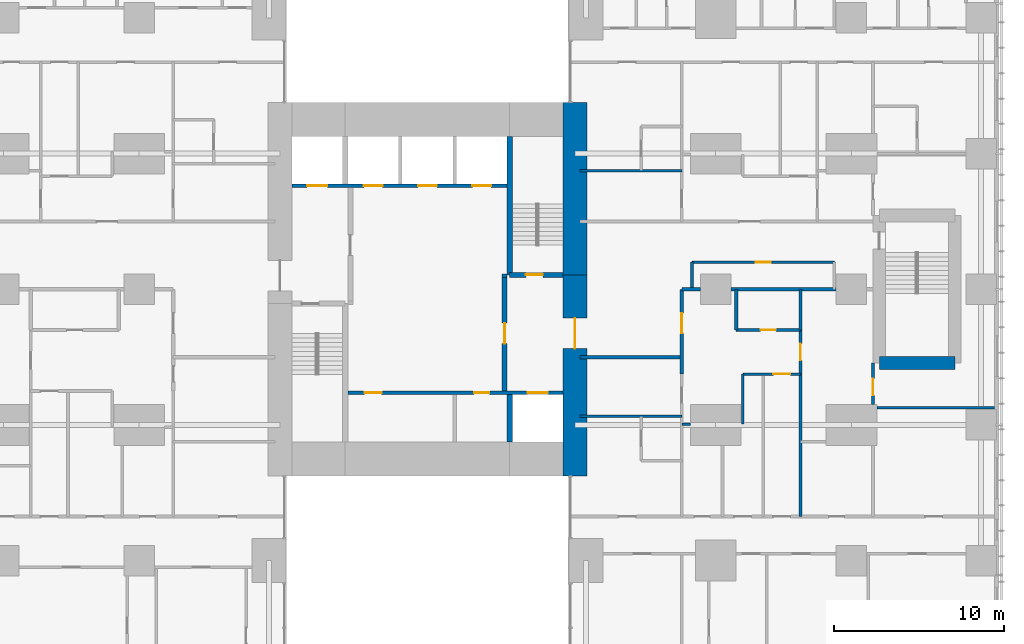
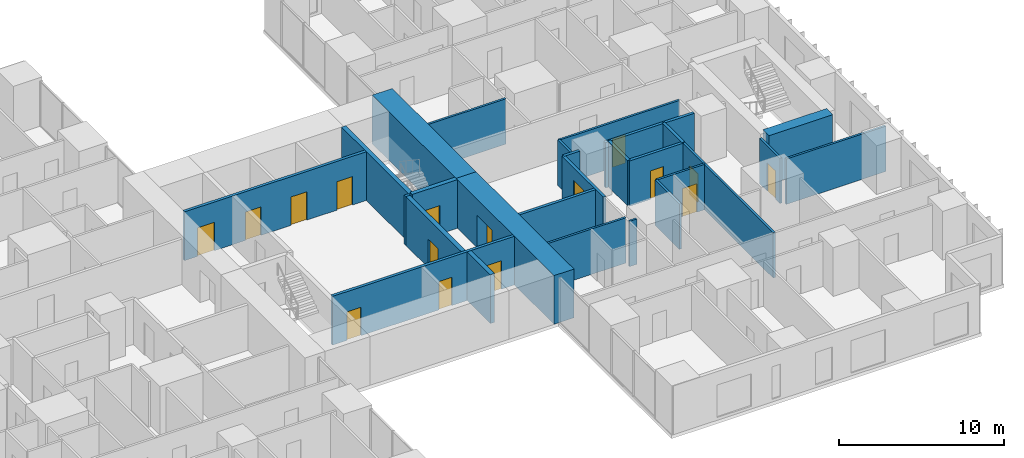
# One storey, part 15 of 20: 27 walls, 16 doors, 16 openings.
"""IFC4 building model written with IfcOpenShell, lengths in metres."""

from ifc_helpers import new_model, si_unit, direction, frame, frame_2d, origin, place, context, subcontext, project, spatial, rectangle, extrude, material, layer, layer_set, type_object, element, fill, save


model = new_model("IFC4")

# Units and contexts
model_context = context("Model", 3, precision=1e-05, world=origin(), true_north=direction((0.0, 1.0)))
body_context = subcontext(model_context, "Body", "Model", "MODEL_VIEW")
ifc_project = project(units=[si_unit("LENGTHUNIT", "METRE"), si_unit("AREAUNIT", "SQUARE_METRE"), si_unit("VOLUMEUNIT", "CUBIC_METRE"), si_unit("PLANEANGLEUNIT", "RADIAN"), si_unit("MASSUNIT", "GRAM", prefix="KILO")], contexts=[model_context])

# Site, building, storey
site_placement = place(None, origin())
site = spatial("IfcSite", under=ifc_project, at=site_placement, CompositionType="ELEMENT")
building_placement = place(site_placement, origin())
building = spatial("IfcBuilding", under=site, at=building_placement, Name="Cleftline Residences", CompositionType="ELEMENT")
storey_placement = place(building_placement, frame((0.0, 0.0, 196.60009765625)))
storey = spatial("IfcBuildingStorey", under=building, at=storey_placement, Name="L51", CompositionType="ELEMENT", Elevation=196.60009765625)

# Wall, opening, door
ifc_material_1 = material(Name="Concrete B70", Category="concrete")
ifc_layer_1 = layer(ifc_material_1, 1.39990234375)
ifc_layer_set_1 = layer_set([ifc_layer_1], Name="CORE WALL 1400")
wall_type_1 = type_object("IfcWallType", Name="CORE WALL 1400", PredefinedType="SHEAR", material=ifc_layer_set_1)
wall_1_placement = place(storey_placement, frame((41.699951171875, 13.0, 0.0), z_axis=(0.0, 0.0, 1.0), x_axis=(0.0, 1.0, 0.0)))
wall_1 = element("IfcWall", 1, at=wall_1_placement, inside=storey, type_object=wall_type_1, Name="Core wall E", PredefinedType="SHEAR", context=body_context, shape_type="SweptSolid", body=[
    extrude(rectangle(XDim=11.85009765625, YDim=1.39990234375, at=frame_2d((5.925048828125, 0.0))), origin(), (0.0, 0.0, 1.0), 3.599853515625),
])
opening_1_placement = place(wall_1_placement, frame((7.5, 0.0, 0.0)))
opening_1 = element("IfcOpeningElement", 2, at=opening_1_placement, cuts=wall_1, Name="Opening D7", PredefinedType="OPENING", context=body_context, shape_type="SweptSolid", body=[
    extrude(rectangle(XDim=1.800048828125, YDim=2.39990234375, at=frame_2d((0.89990234375, 1.199951171875))), frame((0.0, 0.7099609375, 0.0), z_axis=(0.0, -1.0, 0.0), x_axis=(1.0, 0.0, 0.0)), (0.0, 0.0, 1.0), 1.419921875),
])
ifc_material_2 = material(Name="Steel", Category="steel")
door_type_1 = type_object("IfcDoorType", Name="WING DOOR 1800X2400", OperationType="DOUBLE_DOOR_DOUBLE_SWING", PredefinedType="DOOR", material=ifc_material_2)
door_1_placement = place(opening_1_placement, origin())
door_1 = element("IfcDoor", 3, at=door_1_placement, inside=storey, type_object=door_type_1, Name="East wing door", OperationType="DOUBLE_DOOR_DOUBLE_SWING", OverallHeight=2.39990234375, OverallWidth=1.800048828125, PredefinedType="DOOR", context=body_context, shape_type="SweptSolid", body=[
    extrude(rectangle(XDim=1.800048828125, YDim=2.39990234375, at=frame_2d((0.89990234375, 1.199951171875))), frame((0.0, 0.02490234375, 0.0), z_axis=(0.0, -1.0, 0.0), x_axis=(1.0, 0.0, 0.0)), (0.0, 0.0, 1.0), 0.050048828125),
])
fill(opening_1, door_1)

# Walls
wall_2_placement = place(storey_placement, frame((41.699951171875, 24.85009765625, 0.0), z_axis=(0.0, 0.0, 1.0), x_axis=(0.0, 1.0, 0.0)))
element("IfcWall", 4, at=wall_2_placement, inside=storey, type_object=wall_type_1, Name="Core wall E1", PredefinedType="SHEAR", context=body_context, shape_type="SweptSolid", body=[
    extrude(rectangle(XDim=10.14990234375, YDim=1.39990234375, at=frame_2d((5.074951171875, 0.0))), origin(), (0.0, 0.0, 1.0), 3.599853515625),
])
ifc_material_3 = material(Name="Concrete B70", Category="concrete")
ifc_layer_2 = layer(ifc_material_3, 0.300048828125)
ifc_layer_set_2 = layer_set([ifc_layer_2], Name="CORE WALL 300")
wall_type_2 = type_object("IfcWallType", Name="CORE WALL 300", PredefinedType="SHEAR", material=ifc_layer_set_2)
wall_3_placement = place(storey_placement, frame((37.85009765625, 24.85009765625, 0.0), z_axis=(0.0, 0.0, 1.0), x_axis=(0.0, 1.0, 0.0)))
element("IfcWall", 5, at=wall_3_placement, inside=storey, type_object=wall_type_2, Name="Core wall SB-W", PredefinedType="SHEAR", context=body_context, shape_type="SweptSolid", body=[
    extrude(rectangle(XDim=8.14990234375, YDim=0.300048828125, at=frame_2d((4.074951171875, 0.0))), origin(), (0.0, 0.0, 1.0), 3.599853515625),
])

# Wall, opening, door
wall_4_placement = place(storey_placement, frame((37.85009765625, 24.85009765625, 0.0), z_axis=(0.0, 0.0, 1.0), x_axis=(1.0, 0.0, 0.0)))
wall_4 = element("IfcWall", 6, at=wall_4_placement, inside=storey, type_object=wall_type_2, Name="Core wall SB-S", PredefinedType="SHEAR", context=body_context, shape_type="SweptSolid", body=[
    extrude(rectangle(XDim=3.14990234375, YDim=0.300048828125, at=frame_2d((1.574951171875, 0.0))), origin(), (0.0, 0.0, 1.0), 3.599853515625),
])
opening_2_placement = place(wall_4_placement, frame((0.949951171875, 0.0, 0.0)))
opening_2 = element("IfcOpeningElement", 7, at=opening_2_placement, cuts=wall_4, Name="Opening D5", PredefinedType="OPENING", context=body_context, shape_type="SweptSolid", body=[
    extrude(rectangle(XDim=1.0, YDim=2.10009765625, at=frame_2d((0.5, 1.050048828125))), frame((0.0, 0.159912109375, 0.0), z_axis=(0.0, -1.0, 0.0), x_axis=(1.0, 0.0, 0.0)), (0.0, 0.0, 1.0), 0.320068359375),
])
ifc_material_4 = material(Name="Steel", Category="steel")
door_type_2 = type_object("IfcDoorType", Name="STAIR DOOR 1000X2100", OperationType="SINGLE_SWING_LEFT", PredefinedType="DOOR", material=ifc_material_4)
door_2_placement = place(opening_2_placement, origin())
door_2 = element("IfcDoor", 8, at=door_2_placement, inside=storey, type_object=door_type_2, Name="Stair B door", OperationType="SINGLE_SWING_RIGHT", OverallHeight=2.10009765625, OverallWidth=1.0, PredefinedType="DOOR", context=body_context, shape_type="SweptSolid", body=[
    extrude(rectangle(XDim=1.0, YDim=2.10009765625, at=frame_2d((0.5, 1.050048828125))), frame((0.0, 0.02490234375, 0.0), z_axis=(0.0, -1.0, 0.0), x_axis=(1.0, 0.0, 0.0)), (0.0, 0.0, 1.0), 0.050048828125),
])
fill(opening_2, door_2)

# Walls
wall_5_placement = place(storey_placement, frame((37.85009765625, 15.0, 0.0), z_axis=(0.0, 0.0, 1.0), x_axis=(0.0, 1.0, 0.0)))
element("IfcWall", 9, at=wall_5_placement, inside=storey, type_object=wall_type_2, Name="Lift shaft wall", PredefinedType="SHEAR", context=body_context, shape_type="SweptSolid", body=[
    extrude(rectangle(XDim=2.800048828125, YDim=0.300048828125, at=frame_2d((1.39990234375, 0.0))), origin(), (0.0, 0.0, 1.0), 3.599853515625),
])
ifc_material_5 = material(Name="Concrete blockwork, fire rated", Category="masonry")
ifc_layer_3 = layer(ifc_material_5, 0.199951171875)
ifc_layer_set_3 = layer_set([ifc_layer_3], Name="FIRE WALL 200")
wall_type_3 = type_object("IfcWallType", Name="FIRE WALL 200", PredefinedType="PARTITIONING", material=ifc_layer_set_3)
wall_6_placement = place(storey_placement, frame((42.0, 20.0, 0.0), z_axis=(0.0, 0.0, 1.0), x_axis=(1.0, 0.0, 0.0)))
element("IfcWall", 10, at=wall_6_placement, inside=storey, type_object=wall_type_3, Name="Fire separating wall", PredefinedType="PARTITIONING", context=body_context, shape_type="SweptSolid", body=[
    extrude(rectangle(XDim=6.0, YDim=0.199951171875, at=frame_2d((3.0, 0.0))), origin(), (0.0, 0.0, 1.0), 3.349853515625),
])

# Wall, opening, door
wall_7_placement = place(storey_placement, frame((51.199951171875, 21.60009765625, 0.0), z_axis=(0.0, 0.0, 1.0), x_axis=(1.0, 0.0, 0.0)))
wall_7 = element("IfcWall", 11, at=wall_7_placement, inside=storey, type_object=wall_type_3, Name="Fire separating wall", PredefinedType="PARTITIONING", context=body_context, shape_type="SweptSolid", body=[
    extrude(rectangle(XDim=3.800048828125, YDim=0.199951171875, at=frame_2d((1.89990234375, 0.0))), origin(), (0.0, 0.0, 1.0), 3.349853515625),
])
opening_3_placement = place(wall_7_placement, frame((1.449951171875, 0.0, 0.0)))
opening_3 = element("IfcOpeningElement", 12, at=opening_3_placement, cuts=wall_7, Name="Opening D1F30", PredefinedType="OPENING", context=body_context, shape_type="SweptSolid", body=[
    extrude(rectangle(XDim=0.89990234375, YDim=2.10009765625, at=frame_2d((0.449951171875, 1.050048828125))), frame((0.0, 0.10986328125, 0.0), z_axis=(0.0, -1.0, 0.0), x_axis=(1.0, 0.0, 0.0)), (0.0, 0.0, 1.0), 0.219970703125),
])
ifc_material_6 = material(Name="Timber veneer on solid core", Category="wood")
door_type_3 = type_object("IfcDoorType", Name="DOOR 900X2100 EI 30", OperationType="SINGLE_SWING_LEFT", PredefinedType="DOOR", material=ifc_material_6)
door_3_placement = place(opening_3_placement, origin())
door_3 = element("IfcDoor", 13, at=door_3_placement, inside=storey, type_object=door_type_3, Name="Door to cloakroom wc", OperationType="SINGLE_SWING_LEFT", OverallHeight=2.10009765625, OverallWidth=0.89990234375, PredefinedType="DOOR", context=body_context, shape_type="SweptSolid", body=[
    extrude(rectangle(XDim=0.89990234375, YDim=2.10009765625, at=frame_2d((0.449951171875, 1.050048828125))), frame((0.0, 0.02490234375, 0.0), z_axis=(0.0, -1.0, 0.0), x_axis=(1.0, 0.0, 0.0)), (0.0, 0.0, 1.0), 0.050048828125),
])
fill(opening_3, door_3)

# Walls
wall_8_placement = place(storey_placement, frame((48.0, 24.0, 0.0), z_axis=(0.0, 0.0, 1.0), x_axis=(1.0, 0.0, 0.0)))
element("IfcWall", 14, at=wall_8_placement, inside=storey, type_object=wall_type_3, Name="Fire separating wall", PredefinedType="PARTITIONING", context=body_context, shape_type="SweptSolid", body=[
    extrude(rectangle(XDim=1.10009765625, YDim=0.199951171875, at=frame_2d((0.550048828125, 0.0))), origin(), (0.0, 0.0, 1.0), 3.349853515625),
])
wall_9_placement = place(storey_placement, frame((50.89990234375, 24.0, 0.0), z_axis=(0.0, 0.0, 1.0), x_axis=(1.0, 0.0, 0.0)))
element("IfcWall", 15, at=wall_9_placement, inside=storey, type_object=wall_type_3, Name="Fire separating wall", PredefinedType="PARTITIONING", context=body_context, shape_type="SweptSolid", body=[
    extrude(rectangle(XDim=6.2001953125, YDim=0.199951171875, at=frame_2d((3.10009765625, 0.0))), origin(), (0.0, 0.0, 1.0), 3.349853515625),
])

# Wall, opening, door
wall_10_placement = place(storey_placement, frame((48.0, 19.0, 0.0), z_axis=(0.0, 0.0, 1.0), x_axis=(0.0, 1.0, 0.0)))
wall_10 = element("IfcWall", 16, at=wall_10_placement, inside=storey, type_object=wall_type_3, Name="Fire separating wall", PredefinedType="PARTITIONING", context=body_context, shape_type="SweptSolid", body=[
    extrude(rectangle(XDim=5.0, YDim=0.199951171875, at=frame_2d((2.5, 0.0))), origin(), (0.0, 0.0, 1.0), 3.349853515625),
])
opening_4_placement = place(wall_10_placement, frame((2.39990234375, 0.0, 0.0)))
opening_4 = element("IfcOpeningElement", 17, at=opening_4_placement, cuts=wall_10, Name="Opening D4", PredefinedType="OPENING", context=body_context, shape_type="SweptSolid", body=[
    extrude(rectangle(XDim=1.199951171875, YDim=2.39990234375, at=frame_2d((0.60009765625, 1.199951171875))), frame((0.0, 0.10986328125, 0.0), z_axis=(0.0, -1.0, 0.0), x_axis=(1.0, 0.0, 0.0)), (0.0, 0.0, 1.0), 0.219970703125),
])
ifc_material_7 = material(Name="Timber veneer on solid core", Category="wood")
door_type_4 = type_object("IfcDoorType", Name="APARTMENT ENTRANCE DOOR 1200X2400", OperationType="SINGLE_SWING_RIGHT", PredefinedType="DOOR", material=ifc_material_7)
door_4_placement = place(opening_4_placement, origin())
door_4 = element("IfcDoor", 18, at=door_4_placement, inside=storey, type_object=door_type_4, Name="Door to residence entrance foyer", OperationType="SINGLE_SWING_LEFT", OverallHeight=2.39990234375, OverallWidth=1.199951171875, PredefinedType="DOOR", context=body_context, shape_type="SweptSolid", body=[
    extrude(rectangle(XDim=1.199951171875, YDim=2.39990234375, at=frame_2d((0.60009765625, 1.199951171875))), frame((0.0, 0.02490234375, 0.0), z_axis=(0.0, -1.0, 0.0), x_axis=(1.0, 0.0, 0.0)), (0.0, 0.0, 1.0), 0.050048828125),
])
fill(opening_4, door_4)

# Walls
for number, where, z_axis, x_axis, name in (
    (19, (51.199951171875, 21.60009765625, 0.0), (0.0, 0.0, 1.0), (0.0, 1.0, 0.0), "Fire separating wall"),
    (20, (55.0, 21.60009765625, 0.0), (0.0, 0.0, 1.0), (0.0, 1.0, 0.0), "Fire separating wall"),
):
    element("IfcWall", number, at=place(storey_placement, frame(where, z_axis=z_axis, x_axis=x_axis)), inside=storey, type_object=wall_type_3, Name=name, PredefinedType="PARTITIONING", context=body_context, shape_type="SweptSolid", body=[
        extrude(rectangle(XDim=2.39990234375, YDim=0.199951171875, at=frame_2d((1.199951171875, 0.0))), origin(), (0.0, 0.0, 1.0), 3.349853515625),
    ])
wall_11_placement = place(storey_placement, frame((37.39990234375, 24.800048828125, 0.0), z_axis=(0.0, 0.0, 1.0), x_axis=(1.0, 0.0, 0.0)))
element("IfcWall", 21, at=wall_11_placement, inside=storey, type_object=wall_type_3, Name="Fire separating wall", PredefinedType="PARTITIONING", context=body_context, shape_type="SweptSolid", body=[
    extrude(rectangle(XDim=0.300048828125, YDim=0.199951171875, at=frame_2d((0.14990234375, 0.0))), origin(), (0.0, 0.0, 1.0), 3.599853515625),
])
ifc_material_8 = material(Name="Gypsum board on steel studs", Category="steel")
ifc_layer_4 = layer(ifc_material_8, 0.14990234375)
ifc_layer_set_4 = layer_set([ifc_layer_4], Name="PARTITION 150")
wall_type_4 = type_object("IfcWallType", Name="PARTITION 150", PredefinedType="PARTITIONING", material=ifc_layer_set_4)
wall_12_placement = place(storey_placement, frame((48.0, 16.050048828125, 0.0), z_axis=(0.0, 0.0, 1.0), x_axis=(1.0, 0.0, 0.0)))
element("IfcWall", 22, at=wall_12_placement, inside=storey, type_object=wall_type_4, Name="Partition", PredefinedType="PARTITIONING", context=body_context, shape_type="SweptSolid", body=[
    extrude(rectangle(XDim=0.5, YDim=0.14990234375, at=frame_2d((0.25, 0.0))), origin(), (0.0, 0.0, 1.0), 3.349853515625),
])
wall_13_placement = place(storey_placement, frame((42.0, 16.5, 0.0), z_axis=(0.0, 0.0, 1.0), x_axis=(1.0, 0.0, 0.0)))
element("IfcWall", 23, at=wall_13_placement, inside=storey, type_object=wall_type_4, Name="Partition", PredefinedType="PARTITIONING", context=body_context, shape_type="SweptSolid", body=[
    extrude(rectangle(XDim=6.0, YDim=0.14990234375, at=frame_2d((3.0, 0.0))), origin(), (0.0, 0.0, 1.0), 3.349853515625),
])
wall_14_placement = place(storey_placement, frame((59.5, 17.0, 0.0), z_axis=(0.0, 0.0, 1.0), x_axis=(1.0, 0.0, 0.0)))
element("IfcWall", 24, at=wall_14_placement, inside=storey, type_object=wall_type_4, Name="Partition", PredefinedType="PARTITIONING", context=body_context, shape_type="SweptSolid", body=[
    extrude(rectangle(XDim=6.949951171875, YDim=0.14990234375, at=frame_2d((3.47509765625, 0.0))), origin(), (0.0, 0.0, 1.0), 3.349853515625),
])

# Wall, opening, door
wall_15_placement = place(storey_placement, frame((51.60009765625, 19.0, 0.0), z_axis=(0.0, 0.0, 1.0), x_axis=(1.0, 0.0, 0.0)))
wall_15 = element("IfcWall", 25, at=wall_15_placement, inside=storey, type_object=wall_type_4, Name="Partition", PredefinedType="PARTITIONING", context=body_context, shape_type="SweptSolid", body=[
    extrude(rectangle(XDim=3.39990234375, YDim=0.14990234375, at=frame_2d((1.699951171875, 0.0))), origin(), (0.0, 0.0, 1.0), 3.349853515625),
])
opening_5_placement = place(wall_15_placement, frame((1.800048828125, 0.0, 0.0)))
opening_5 = element("IfcOpeningElement", 26, at=opening_5_placement, cuts=wall_15, Name="Opening D2", PredefinedType="OPENING", context=body_context, shape_type="SweptSolid", body=[
    extrude(rectangle(XDim=1.0, YDim=2.10009765625, at=frame_2d((0.5, 1.050048828125))), frame((0.0, 0.0849609375, 0.0), z_axis=(0.0, -1.0, 0.0), x_axis=(1.0, 0.0, 0.0)), (0.0, 0.0, 1.0), 0.169921875),
])
ifc_material_9 = material(Name="Timber veneer on solid core", Category="wood")
door_type_5 = type_object("IfcDoorType", Name="DOOR 1000X2100", OperationType="SINGLE_SWING_LEFT", PredefinedType="DOOR", material=ifc_material_9)
door_5_placement = place(opening_5_placement, origin())
door_5 = element("IfcDoor", 27, at=door_5_placement, inside=storey, type_object=door_type_5, Name="Door to residence passage", OperationType="SINGLE_SWING_LEFT", OverallHeight=2.10009765625, OverallWidth=1.0, PredefinedType="DOOR", context=body_context, shape_type="SweptSolid", body=[
    extrude(rectangle(XDim=1.0, YDim=2.10009765625, at=frame_2d((0.5, 1.050048828125))), frame((0.0, 0.02490234375, 0.0), z_axis=(0.0, -1.0, 0.0), x_axis=(1.0, 0.0, 0.0)), (0.0, 0.0, 1.0), 0.050048828125),
])
fill(opening_5, door_5)

wall_16_placement = place(storey_placement, frame((48.60009765625, 25.60009765625, 0.0), z_axis=(0.0, 0.0, 1.0), x_axis=(1.0, 0.0, 0.0)))
wall_16 = element("IfcWall", 28, at=wall_16_placement, inside=storey, type_object=wall_type_4, Name="Partition", PredefinedType="PARTITIONING", context=body_context, shape_type="SweptSolid", body=[
    extrude(rectangle(XDim=8.39990234375, YDim=0.14990234375, at=frame_2d((4.199951171875, 0.0))), origin(), (0.0, 0.0, 1.0), 3.349853515625),
])
opening_6_placement = place(wall_16_placement, frame((3.75, 0.0, 0.0)))
opening_6 = element("IfcOpeningElement", 29, at=opening_6_placement, cuts=wall_16, Name="Opening D1", PredefinedType="OPENING", context=body_context, shape_type="SweptSolid", body=[
    extrude(rectangle(XDim=0.89990234375, YDim=2.10009765625, at=frame_2d((0.449951171875, 1.050048828125))), frame((0.0, 0.0849609375, 0.0), z_axis=(0.0, -1.0, 0.0), x_axis=(1.0, 0.0, 0.0)), (0.0, 0.0, 1.0), 0.169921875),
])
ifc_material_10 = material(Name="Timber veneer on solid core", Category="wood")
door_type_6 = type_object("IfcDoorType", Name="DOOR 900X2100", OperationType="SINGLE_SWING_LEFT", PredefinedType="DOOR", material=ifc_material_10)
door_6_placement = place(opening_6_placement, origin())
door_6 = element("IfcDoor", 30, at=door_6_placement, inside=storey, type_object=door_type_6, Name="Door to residents' locker room", OperationType="SINGLE_SWING_LEFT", OverallHeight=2.10009765625, OverallWidth=0.89990234375, PredefinedType="DOOR", context=body_context, shape_type="SweptSolid", body=[
    extrude(rectangle(XDim=0.89990234375, YDim=2.10009765625, at=frame_2d((0.449951171875, 1.050048828125))), frame((0.0, 0.02490234375, 0.0), z_axis=(0.0, -1.0, 0.0), x_axis=(1.0, 0.0, 0.0)), (0.0, 0.0, 1.0), 0.050048828125),
])
fill(opening_6, door_6)

# Walls
wall_17_placement = place(storey_placement, frame((42.0, 31.0, 0.0), z_axis=(0.0, 0.0, 1.0), x_axis=(1.0, 0.0, 0.0)))
element("IfcWall", 31, at=wall_17_placement, inside=storey, type_object=wall_type_4, Name="Partition", PredefinedType="PARTITIONING", context=body_context, shape_type="SweptSolid", body=[
    extrude(rectangle(XDim=6.0, YDim=0.14990234375, at=frame_2d((3.0, 0.0))), origin(), (0.0, 0.0, 1.0), 3.349853515625),
])
wall_18_placement = place(storey_placement, frame((48.60009765625, 24.0, 0.0), z_axis=(0.0, 0.0, 1.0), x_axis=(0.0, 1.0, 0.0)))
element("IfcWall", 32, at=wall_18_placement, inside=storey, type_object=wall_type_4, Name="Partition", PredefinedType="PARTITIONING", context=body_context, shape_type="SweptSolid", body=[
    extrude(rectangle(XDim=1.60009765625, YDim=0.14990234375, at=frame_2d((0.800048828125, 0.0))), origin(), (0.0, 0.0, 1.0), 3.349853515625),
])
wall_19_placement = place(storey_placement, frame((51.60009765625, 16.050048828125, 0.0), z_axis=(0.0, 0.0, 1.0), x_axis=(0.0, 1.0, 0.0)))
element("IfcWall", 33, at=wall_19_placement, inside=storey, type_object=wall_type_4, Name="Partition", PredefinedType="PARTITIONING", context=body_context, shape_type="SweptSolid", body=[
    extrude(rectangle(XDim=2.949951171875, YDim=0.14990234375, at=frame_2d((1.47509765625, 0.0))), origin(), (0.0, 0.0, 1.0), 3.349853515625),
])

# Wall, opening, door
wall_20_placement = place(storey_placement, frame((55.0, 10.60009765625, 0.0), z_axis=(0.0, 0.0, 1.0), x_axis=(0.0, 1.0, 0.0)))
wall_20 = element("IfcWall", 34, at=wall_20_placement, inside=storey, type_object=wall_type_4, Name="Partition", PredefinedType="PARTITIONING", context=body_context, shape_type="SweptSolid", body=[
    extrude(rectangle(XDim=11.0, YDim=0.14990234375, at=frame_2d((5.5, 0.0))), origin(), (0.0, 0.0, 1.0), 3.349853515625),
])
opening_7_placement = place(wall_20_placement, frame((9.199951171875, 0.0, 0.0)))
opening_7 = element("IfcOpeningElement", 35, at=opening_7_placement, cuts=wall_20, Name="Opening D2F30", PredefinedType="OPENING", context=body_context, shape_type="SweptSolid", body=[
    extrude(rectangle(XDim=1.0, YDim=2.10009765625, at=frame_2d((0.5, 1.050048828125))), frame((0.0, 0.0849609375, 0.0), z_axis=(0.0, -1.0, 0.0), x_axis=(1.0, 0.0, 0.0)), (0.0, 0.0, 1.0), 0.169921875),
])
ifc_material_11 = material(Name="Timber veneer on solid core", Category="wood")
door_type_7 = type_object("IfcDoorType", Name="DOOR 1000X2100 EI 30", OperationType="SINGLE_SWING_LEFT", PredefinedType="DOOR", material=ifc_material_11)
door_7_placement = place(opening_7_placement, origin())
door_7 = element("IfcDoor", 36, at=door_7_placement, inside=storey, type_object=door_type_7, Name="Door to residence lobby", OperationType="SINGLE_SWING_LEFT", OverallHeight=2.10009765625, OverallWidth=1.0, PredefinedType="DOOR", context=body_context, shape_type="SweptSolid", body=[
    extrude(rectangle(XDim=1.0, YDim=2.10009765625, at=frame_2d((0.5, 1.050048828125))), frame((0.0, 0.02490234375, 0.0), z_axis=(0.0, -1.0, 0.0), x_axis=(1.0, 0.0, 0.0)), (0.0, 0.0, 1.0), 0.050048828125),
])
fill(opening_7, door_7)

wall_21_placement = place(storey_placement, frame((59.27490234375, 17.199951171875, 0.0), z_axis=(0.0, 0.0, 1.0), x_axis=(0.0, 1.0, 0.0)))
wall_21 = element("IfcWall", 37, at=wall_21_placement, inside=storey, type_object=wall_type_4, Name="Partition", PredefinedType="PARTITIONING", context=body_context, shape_type="SweptSolid", body=[
    extrude(rectangle(XDim=2.449951171875, YDim=0.14990234375, at=frame_2d((1.22509765625, 0.0))), origin(), (0.0, 0.0, 1.0), 3.349853515625),
])
opening_8_placement = place(wall_21_placement, frame((0.53759765625, 0.0, 0.0)))
opening_8 = element("IfcOpeningElement", 38, at=opening_8_placement, cuts=wall_21, Name="Opening D2", PredefinedType="OPENING", context=body_context, shape_type="SweptSolid", body=[
    extrude(rectangle(XDim=1.0, YDim=2.10009765625, at=frame_2d((0.5, 1.050048828125))), frame((0.0, 0.0849609375, 0.0), z_axis=(0.0, -1.0, 0.0), x_axis=(1.0, 0.0, 0.0)), (0.0, 0.0, 1.0), 0.169921875),
])
door_8_placement = place(opening_8_placement, origin())
door_8 = element("IfcDoor", 39, at=door_8_placement, inside=storey, type_object=door_type_5, Name="Door to altar room", OperationType="SINGLE_SWING_RIGHT", OverallHeight=2.10009765625, OverallWidth=1.0, PredefinedType="DOOR", context=body_context, shape_type="SweptSolid", body=[
    extrude(rectangle(XDim=1.0, YDim=2.10009765625, at=frame_2d((0.5, 1.050048828125))), frame((0.0, 0.02490234375, 0.0), z_axis=(0.0, -1.0, 0.0), x_axis=(1.0, 0.0, 0.0)), (0.0, 0.0, 1.0), 0.050048828125),
])
fill(opening_8, door_8)

# Wall, openings, doors
ifc_material_12 = material(Name="Concrete blockwork, fire rated", Category="masonry")
ifc_layer_5 = layer(ifc_material_12, 0.199951171875)
ifc_layer_set_5 = layer_set([ifc_layer_5], Name="SHAFT WALL 200")
wall_type_5 = type_object("IfcWallType", Name="SHAFT WALL 200", PredefinedType="PARTITIONING", material=ifc_layer_set_5)
wall_22_placement = place(storey_placement, frame((28.300048828125, 17.89990234375, 0.0), z_axis=(0.0, 0.0, 1.0), x_axis=(1.0, 0.0, 0.0)))
wall_22 = element("IfcWall", 40, at=wall_22_placement, inside=storey, type_object=wall_type_5, Name="Core room wall", PredefinedType="PARTITIONING", context=body_context, shape_type="SweptSolid", body=[
    extrude(rectangle(XDim=12.699951171875, YDim=0.199951171875, at=frame_2d((6.35009765625, 0.0))), origin(), (0.0, 0.0, 1.0), 3.599853515625),
])
opening_9_placement = place(wall_22_placement, frame((1.0, 0.0, 0.0)))
opening_9 = element("IfcOpeningElement", 41, at=opening_9_placement, cuts=wall_22, Name="Opening D2F60", PredefinedType="OPENING", context=body_context, shape_type="SweptSolid", body=[
    extrude(rectangle(XDim=1.0, YDim=2.10009765625, at=frame_2d((0.5, 1.050048828125))), frame((0.0, 0.10986328125, 0.0), z_axis=(0.0, -1.0, 0.0), x_axis=(1.0, 0.0, 0.0)), (0.0, 0.0, 1.0), 0.219970703125),
])
opening_10_placement = place(wall_22_placement, frame((7.449951171875, 0.0, 0.0)))
opening_10 = element("IfcOpeningElement", 42, at=opening_10_placement, cuts=wall_22, Name="Opening D1F30", PredefinedType="OPENING", context=body_context, shape_type="SweptSolid", body=[
    extrude(rectangle(XDim=0.89990234375, YDim=2.10009765625, at=frame_2d((0.449951171875, 1.050048828125))), frame((0.0, 0.10986328125, 0.0), z_axis=(0.0, -1.0, 0.0), x_axis=(1.0, 0.0, 0.0)), (0.0, 0.0, 1.0), 0.219970703125),
])
opening_11_placement = place(wall_22_placement, frame((10.60009765625, 0.0, 0.0)))
opening_11 = element("IfcOpeningElement", 43, at=opening_11_placement, cuts=wall_22, Name="Opening LD2", PredefinedType="OPENING", context=body_context, shape_type="SweptSolid", body=[
    extrude(rectangle(XDim=1.199951171875, YDim=2.10009765625, at=frame_2d((0.60009765625, 1.050048828125))), frame((0.0, 0.10986328125, 0.0), z_axis=(0.0, -1.0, 0.0), x_axis=(1.0, 0.0, 0.0)), (0.0, 0.0, 1.0), 0.219970703125),
])
ifc_material_13 = material(Name="Timber veneer on solid core", Category="wood")
door_type_8 = type_object("IfcDoorType", Name="DOOR 1000X2100 EI 60", OperationType="SINGLE_SWING_LEFT", PredefinedType="DOOR", material=ifc_material_13)
door_9_placement = place(opening_9_placement, origin())
door_9 = element("IfcDoor", 44, at=door_9_placement, inside=storey, type_object=door_type_8, Name="Door to electrical room", OperationType="SINGLE_SWING_RIGHT", OverallHeight=2.10009765625, OverallWidth=1.0, PredefinedType="DOOR", context=body_context, shape_type="SweptSolid", body=[
    extrude(rectangle(XDim=1.0, YDim=2.10009765625, at=frame_2d((0.5, 1.050048828125))), frame((0.0, 0.02490234375, 0.0), z_axis=(0.0, -1.0, 0.0), x_axis=(1.0, 0.0, 0.0)), (0.0, 0.0, 1.0), 0.050048828125),
])
fill(opening_9, door_9)
door_10_placement = place(opening_10_placement, origin())
door_10 = element("IfcDoor", 45, at=door_10_placement, inside=storey, type_object=door_type_3, Name="Door to maintenance store", OperationType="SINGLE_SWING_LEFT", OverallHeight=2.10009765625, OverallWidth=0.89990234375, PredefinedType="DOOR", context=body_context, shape_type="SweptSolid", body=[
    extrude(rectangle(XDim=0.89990234375, YDim=2.10009765625, at=frame_2d((0.449951171875, 1.050048828125))), frame((0.0, 0.02490234375, 0.0), z_axis=(0.0, -1.0, 0.0), x_axis=(1.0, 0.0, 0.0)), (0.0, 0.0, 1.0), 0.050048828125),
])
fill(opening_10, door_10)
ifc_material_14 = material(Name="Steel", Category="steel")
door_type_9 = type_object("IfcDoorType", Name="FIREFIGHTING LIFT LANDING DOOR 1200X2100", OperationType="SLIDING_TO_LEFT", PredefinedType="DOOR", material=ifc_material_14)
door_11_placement = place(opening_11_placement, origin())
door_11 = element("IfcDoor", 46, at=door_11_placement, inside=storey, type_object=door_type_9, Name="Lift FL2 landing door", OperationType="SLIDING_TO_LEFT", OverallHeight=2.10009765625, OverallWidth=1.199951171875, PredefinedType="DOOR", context=body_context, shape_type="SweptSolid", body=[
    extrude(rectangle(XDim=1.199951171875, YDim=2.10009765625, at=frame_2d((0.60009765625, 1.050048828125))), frame((0.0, 0.02490234375, 0.0), z_axis=(0.0, -1.0, 0.0), x_axis=(1.0, 0.0, 0.0)), (0.0, 0.0, 1.0), 0.050048828125),
])
fill(opening_11, door_11)

wall_23_placement = place(storey_placement, frame((25.0, 30.10009765625, 0.0), z_axis=(0.0, 0.0, 1.0), x_axis=(1.0, 0.0, 0.0)))
wall_23 = element("IfcWall", 47, at=wall_23_placement, inside=storey, type_object=wall_type_5, Name="Lift shaft wall", PredefinedType="PARTITIONING", context=body_context, shape_type="SweptSolid", body=[
    extrude(rectangle(XDim=12.699951171875, YDim=0.199951171875, at=frame_2d((6.35009765625, 0.0))), origin(), (0.0, 0.0, 1.0), 3.599853515625),
])
opening_12_placement = place(wall_23_placement, frame((4.25, 0.0, 0.0)))
opening_12 = element("IfcOpeningElement", 48, at=opening_12_placement, cuts=wall_23, Name="Opening LD1", PredefinedType="OPENING", context=body_context, shape_type="SweptSolid", body=[
    extrude(rectangle(XDim=1.10009765625, YDim=2.10009765625, at=frame_2d((0.550048828125, 1.050048828125))), frame((0.0, 0.10986328125, 0.0), z_axis=(0.0, -1.0, 0.0), x_axis=(1.0, 0.0, 0.0)), (0.0, 0.0, 1.0), 0.219970703125),
])
opening_13_placement = place(wall_23_placement, frame((7.449951171875, 0.0, 0.0)))
opening_13 = element("IfcOpeningElement", 49, at=opening_13_placement, cuts=wall_23, Name="Opening LD1", PredefinedType="OPENING", context=body_context, shape_type="SweptSolid", body=[
    extrude(rectangle(XDim=1.10009765625, YDim=2.10009765625, at=frame_2d((0.550048828125, 1.050048828125))), frame((0.0, 0.10986328125, 0.0), z_axis=(0.0, -1.0, 0.0), x_axis=(1.0, 0.0, 0.0)), (0.0, 0.0, 1.0), 0.219970703125),
])
opening_14_placement = place(wall_23_placement, frame((10.64990234375, 0.0, 0.0)))
opening_14 = element("IfcOpeningElement", 50, at=opening_14_placement, cuts=wall_23, Name="Opening LD1", PredefinedType="OPENING", context=body_context, shape_type="SweptSolid", body=[
    extrude(rectangle(XDim=1.10009765625, YDim=2.10009765625, at=frame_2d((0.550048828125, 1.050048828125))), frame((0.0, 0.10986328125, 0.0), z_axis=(0.0, -1.0, 0.0), x_axis=(1.0, 0.0, 0.0)), (0.0, 0.0, 1.0), 0.219970703125),
])
opening_15_placement = place(wall_23_placement, frame((0.89990234375, 0.0, 0.0)))
opening_15 = element("IfcOpeningElement", 51, at=opening_15_placement, cuts=wall_23, Name="Opening LD2", PredefinedType="OPENING", context=body_context, shape_type="SweptSolid", body=[
    extrude(rectangle(XDim=1.199951171875, YDim=2.10009765625, at=frame_2d((0.60009765625, 1.050048828125))), frame((0.0, 0.10986328125, 0.0), z_axis=(0.0, -1.0, 0.0), x_axis=(1.0, 0.0, 0.0)), (0.0, 0.0, 1.0), 0.219970703125),
])
door_12_placement = place(opening_15_placement, origin())
door_12 = element("IfcDoor", 52, at=door_12_placement, inside=storey, type_object=door_type_9, Name="Lift FL1 landing door", OperationType="SLIDING_TO_LEFT", OverallHeight=2.10009765625, OverallWidth=1.199951171875, PredefinedType="DOOR", context=body_context, shape_type="SweptSolid", body=[
    extrude(rectangle(XDim=1.199951171875, YDim=2.10009765625, at=frame_2d((0.60009765625, 1.050048828125))), frame((0.0, 0.02490234375, 0.0), z_axis=(0.0, -1.0, 0.0), x_axis=(1.0, 0.0, 0.0)), (0.0, 0.0, 1.0), 0.050048828125),
])
fill(opening_15, door_12)
ifc_material_15 = material(Name="Steel", Category="steel")
door_type_10 = type_object("IfcDoorType", Name="LIFT LANDING DOOR 1100X2100", OperationType="SLIDING_TO_LEFT", PredefinedType="DOOR", material=ifc_material_15)
door_13_placement = place(opening_12_placement, origin())
door_13 = element("IfcDoor", 53, at=door_13_placement, inside=storey, type_object=door_type_10, Name="Lift P4 landing door", OperationType="SLIDING_TO_LEFT", OverallHeight=2.10009765625, OverallWidth=1.10009765625, PredefinedType="DOOR", context=body_context, shape_type="SweptSolid", body=[
    extrude(rectangle(XDim=1.10009765625, YDim=2.10009765625, at=frame_2d((0.550048828125, 1.050048828125))), frame((0.0, 0.02490234375, 0.0), z_axis=(0.0, -1.0, 0.0), x_axis=(1.0, 0.0, 0.0)), (0.0, 0.0, 1.0), 0.050048828125),
])
fill(opening_12, door_13)
door_14_placement = place(opening_13_placement, origin())
door_14 = element("IfcDoor", 54, at=door_14_placement, inside=storey, type_object=door_type_10, Name="Lift P5 landing door", OperationType="SLIDING_TO_LEFT", OverallHeight=2.10009765625, OverallWidth=1.10009765625, PredefinedType="DOOR", context=body_context, shape_type="SweptSolid", body=[
    extrude(rectangle(XDim=1.10009765625, YDim=2.10009765625, at=frame_2d((0.550048828125, 1.050048828125))), frame((0.0, 0.02490234375, 0.0), z_axis=(0.0, -1.0, 0.0), x_axis=(1.0, 0.0, 0.0)), (0.0, 0.0, 1.0), 0.050048828125),
])
fill(opening_13, door_14)
door_15_placement = place(opening_14_placement, origin())
door_15 = element("IfcDoor", 55, at=door_15_placement, inside=storey, type_object=door_type_10, Name="Lift P6 landing door", OperationType="SLIDING_TO_LEFT", OverallHeight=2.10009765625, OverallWidth=1.10009765625, PredefinedType="DOOR", context=body_context, shape_type="SweptSolid", body=[
    extrude(rectangle(XDim=1.10009765625, YDim=2.10009765625, at=frame_2d((0.550048828125, 1.050048828125))), frame((0.0, 0.02490234375, 0.0), z_axis=(0.0, -1.0, 0.0), x_axis=(1.0, 0.0, 0.0)), (0.0, 0.0, 1.0), 0.050048828125),
])
fill(opening_14, door_15)

# Wall
ifc_material_16 = material(Name="Concrete B70", Category="concrete")
ifc_layer_6 = layer(ifc_material_16, 0.75)
ifc_layer_set_6 = layer_set([ifc_layer_6], Name="SHEAR WALL 750")
wall_type_6 = type_object("IfcWallType", Name="SHEAR WALL 750", PredefinedType="SHEAR", material=ifc_layer_set_6)
wall_24_placement = place(storey_placement, frame((59.64990234375, 19.64990234375, 0.0), z_axis=(0.0, 0.0, 1.0), x_axis=(1.0, 0.0, 0.0)))
element("IfcWall", 56, at=wall_24_placement, inside=storey, type_object=wall_type_6, Name="Wing shear wall", PredefinedType="SHEAR", context=body_context, shape_type="SweptSolid", body=[
    extrude(rectangle(XDim=4.4501953125, YDim=0.75, at=frame_2d((2.22509765625, 0.0))), origin(), (0.0, 0.0, 1.0), 3.599853515625),
])

# Wall, opening, door
ifc_material_17 = material(Name="Concrete blockwork, fire rated", Category="masonry")
ifc_layer_7 = layer(ifc_material_17, 0.300048828125)
ifc_layer_set_7 = layer_set([ifc_layer_7], Name="STAIR LOBBY WALL 300")
wall_type_7 = type_object("IfcWallType", Name="STAIR LOBBY WALL 300", PredefinedType="PARTITIONING", material=ifc_layer_set_7)
wall_25_placement = place(storey_placement, frame((37.550048828125, 18.0, 0.0), z_axis=(0.0, 0.0, 1.0), x_axis=(0.0, 1.0, 0.0)))
wall_25 = element("IfcWall", 57, at=wall_25_placement, inside=storey, type_object=wall_type_7, Name="Stair and lobby wall FB-W", PredefinedType="PARTITIONING", context=body_context, shape_type="SweptSolid", body=[
    extrude(rectangle(XDim=6.699951171875, YDim=0.300048828125, at=frame_2d((3.35009765625, 0.0))), origin(), (0.0, 0.0, 1.0), 3.599853515625),
])
opening_16_placement = place(wall_25_placement, frame((2.800048828125, 0.0, 0.0)))
opening_16 = element("IfcOpeningElement", 58, at=opening_16_placement, cuts=wall_25, Name="Opening D6", PredefinedType="OPENING", context=body_context, shape_type="SweptSolid", body=[
    extrude(rectangle(XDim=1.199951171875, YDim=2.10009765625, at=frame_2d((0.60009765625, 1.050048828125))), frame((0.0, 0.159912109375, 0.0), z_axis=(0.0, -1.0, 0.0), x_axis=(1.0, 0.0, 0.0)), (0.0, 0.0, 1.0), 0.320068359375),
])
ifc_material_18 = material(Name="Steel", Category="steel")
door_type_11 = type_object("IfcDoorType", Name="LOBBY DOOR 1200X2100", OperationType="SINGLE_SWING_RIGHT", PredefinedType="DOOR", material=ifc_material_18)
door_16_placement = place(opening_16_placement, origin())
door_16 = element("IfcDoor", 59, at=door_16_placement, inside=storey, type_object=door_type_11, Name="Firefighting lobby B door", OperationType="SINGLE_SWING_LEFT", OverallHeight=2.10009765625, OverallWidth=1.199951171875, PredefinedType="DOOR", context=body_context, shape_type="SweptSolid", body=[
    extrude(rectangle(XDim=1.199951171875, YDim=2.10009765625, at=frame_2d((0.60009765625, 1.050048828125))), frame((0.0, 0.02490234375, 0.0), z_axis=(0.0, -1.0, 0.0), x_axis=(1.0, 0.0, 0.0)), (0.0, 0.0, 1.0), 0.050048828125),
])
fill(opening_16, door_16)

save(model, "model.ifc")
